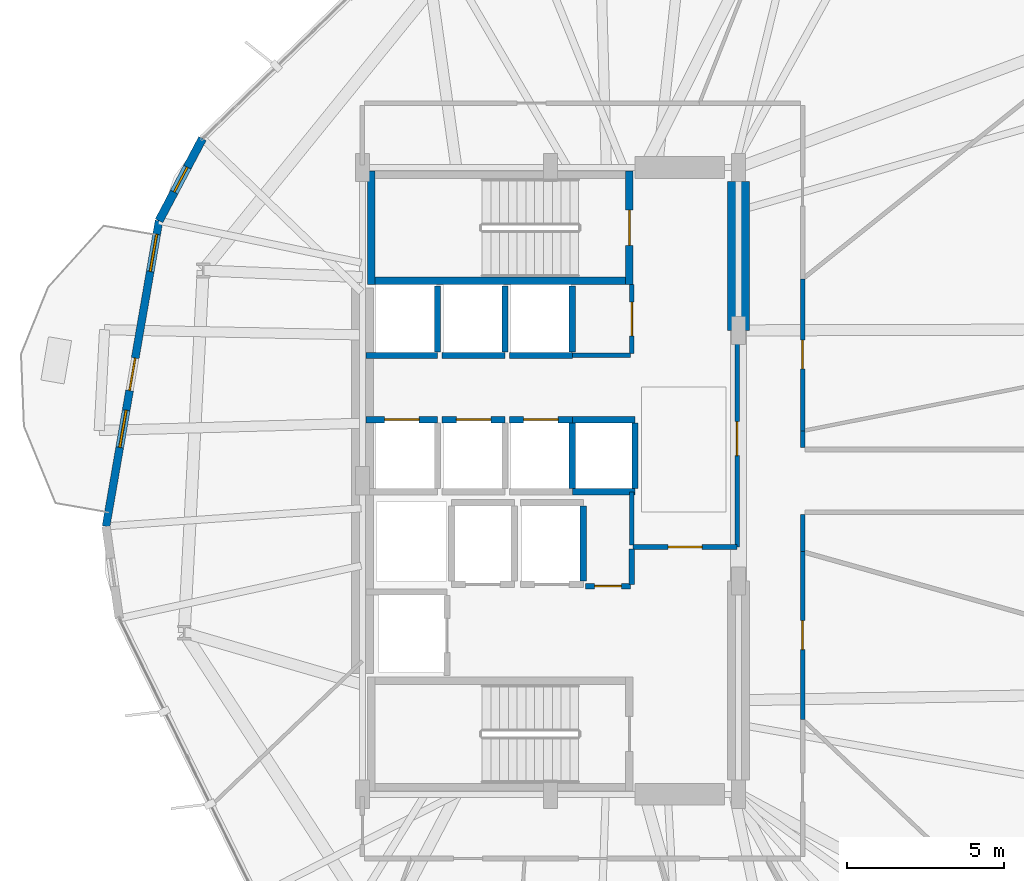
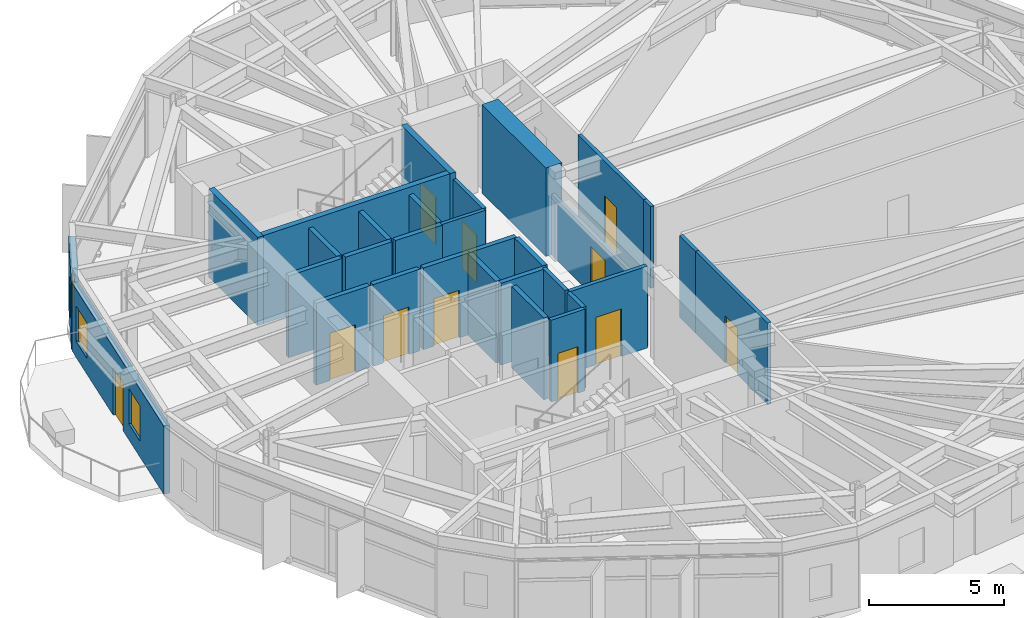
# One storey, part 17 of 22: 31 walls, 11 doors, 3 windows, 14 openings.
"""IFC4 building model written with IfcOpenShell, lengths in metres."""

from ifc_helpers import new_model, si_unit, direction, frame, frame_2d, origin, place, context, subcontext, project, spatial, rectangle, extrude, material, layer, layer_set, type_object, element, fill, save


model = new_model("IFC4")

# Units and contexts
model_context = context("Model", 3, precision=1e-05, world=origin(), true_north=direction((0.0, 1.0)))
body_context = subcontext(model_context, "Body", "Model", "MODEL_VIEW")
ifc_project = project(units=[si_unit("LENGTHUNIT", "METRE"), si_unit("AREAUNIT", "SQUARE_METRE"), si_unit("VOLUMEUNIT", "CUBIC_METRE"), si_unit("PLANEANGLEUNIT", "RADIAN"), si_unit("MASSUNIT", "GRAM", prefix="KILO")], contexts=[model_context])

# Site, building, storey
site_placement = place(None, origin())
site = spatial("IfcSite", under=ifc_project, at=site_placement, CompositionType="ELEMENT")
building_placement = place(site_placement, origin())
building = spatial("IfcBuilding", under=site, at=building_placement, Name="Soratama Intermodal Tower", CompositionType="ELEMENT")
storey_placement = place(building_placement, frame((0.0, 0.0, 58.60009765625)))
storey = spatial("IfcBuildingStorey", under=building, at=storey_placement, Name="L13", CompositionType="ELEMENT", Elevation=58.60009765625)

# Wall, openings, door, windows
ifc_material_1 = material(Name="Concrete f'c 42 MPa", Category="concrete")
ifc_layer_1 = layer(ifc_material_1, 0.25)
ifc_layer_set_1 = layer_set([ifc_layer_1], Name="Concrete f'c 42 MPa")
wall_type_1 = type_object("IfcWallType", Name="EW-BAL-250", PredefinedType="SOLIDWALL", material=ifc_layer_set_1)
wall_1_placement = place(storey_placement, frame((26.114501953125, 33.296630859375, 0.0), z_axis=(0.0, 0.0, 1.0), x_axis=(-0.170901709492, -0.985288082589, 0.0)))
wall_1 = element("IfcWall", 1, at=wall_1_placement, inside=storey, type_object=wall_type_1, Name="L13 Terrace Wall F05", PredefinedType="SOLIDWALL", context=body_context, shape_type="SweptSolid", body=[
    extrude(rectangle(XDim=9.89404296875, YDim=0.25, at=frame_2d((4.947021484375, 0.0))), origin(), (0.0, 0.0, 1.0), 3.078857421875),
])
opening_1_placement = place(wall_1_placement, frame((4.447021484375, 0.0, 0.0)))
opening_1 = element("IfcOpeningElement", 2, at=opening_1_placement, cuts=wall_1, Name="Opening ED-5", PredefinedType="OPENING", context=body_context, shape_type="SweptSolid", body=[
    extrude(rectangle(XDim=1.050048828125, YDim=2.14990234375, at=frame_2d((0.52490234375, 1.074951171875))), frame((0.0, 0.135009765625, 0.0), z_axis=(0.0, -1.0, 0.0), x_axis=(1.0, 0.0, 0.0)), (0.0, 0.0, 1.0), 0.27001953125),
])
opening_2_placement = place(wall_1_placement, frame((0.43994140625, 0.0, 0.719970703125)))
opening_2 = element("IfcOpeningElement", 3, at=opening_2_placement, cuts=wall_1, Name="Opening WN-2", PredefinedType="OPENING", context=body_context, shape_type="SweptSolid", body=[
    extrude(rectangle(XDim=1.199951171875, YDim=1.60009765625, at=frame_2d((0.60009765625, 0.800048828125))), frame((0.0, 0.135009765625, 0.0), z_axis=(0.0, -1.0, 0.0), x_axis=(1.0, 0.0, 0.0)), (0.0, 0.0, 1.0), 0.27001953125),
])
opening_3_placement = place(wall_1_placement, frame((6.13720703125, 0.0, 0.719970703125)))
opening_3 = element("IfcOpeningElement", 4, at=opening_3_placement, cuts=wall_1, Name="Opening WN-2", PredefinedType="OPENING", context=body_context, shape_type="SweptSolid", body=[
    extrude(rectangle(XDim=1.199951171875, YDim=1.60009765625, at=frame_2d((0.60009765625, 0.800048828125))), frame((0.0, 0.135009765625, 0.0), z_axis=(0.0, -1.0, 0.0), x_axis=(1.0, 0.0, 0.0)), (0.0, 0.0, 1.0), 0.27001953125),
])
ifc_material_2 = material(Name="Double-glazed aluminium door", Category="aluminium")
door_type_1 = type_object("IfcDoorType", Name="DR-BAL-1050", OperationType="NOTDEFINED", PredefinedType="DOOR", material=ifc_material_2)
door_1_placement = place(opening_1_placement, origin())
door_1 = element("IfcDoor", 5, at=door_1_placement, inside=storey, type_object=door_type_1, Name="L13 Balcony Door F05", OperationType="SINGLE_SWING_LEFT", OverallHeight=2.14990234375, OverallWidth=1.050048828125, PredefinedType="DOOR", context=body_context, shape_type="SweptSolid", body=[
    extrude(rectangle(XDim=1.050048828125, YDim=2.14990234375, at=frame_2d((0.52490234375, 1.074951171875))), frame((0.0, 0.02490234375, 0.0), z_axis=(0.0, -1.0, 0.0), x_axis=(1.0, 0.0, 0.0)), (0.0, 0.0, 1.0), 0.050048828125),
])
fill(opening_1, door_1)
ifc_material_3 = material(Name="Double-glazed aluminium window", Category="aluminium")
window_type_1 = type_object("IfcWindowType", Name="WN-FAC-1200", PartitioningType="SINGLE_PANEL", PredefinedType="WINDOW", material=ifc_material_3)
window_1_placement = place(opening_2_placement, origin())
window_1 = element("IfcWindow", 6, at=window_1_placement, inside=storey, type_object=window_type_1, Name="L13 Window A F05", OverallHeight=1.60009765625, OverallWidth=1.199951171875, PartitioningType="SINGLE_PANEL", PredefinedType="WINDOW", context=body_context, shape_type="SweptSolid", body=[
    extrude(rectangle(XDim=1.199951171875, YDim=1.60009765625, at=frame_2d((0.60009765625, 0.800048828125))), frame((0.0, 0.030029296875, 0.0), z_axis=(0.0, -1.0, 0.0), x_axis=(1.0, 0.0, 0.0)), (0.0, 0.0, 1.0), 0.06005859375),
])
fill(opening_2, window_1)
window_2_placement = place(opening_3_placement, origin())
window_2 = element("IfcWindow", 7, at=window_2_placement, inside=storey, type_object=window_type_1, Name="L13 Window B F05", OverallHeight=1.60009765625, OverallWidth=1.199951171875, PartitioningType="SINGLE_PANEL", PredefinedType="WINDOW", context=body_context, shape_type="SweptSolid", body=[
    extrude(rectangle(XDim=1.199951171875, YDim=1.60009765625, at=frame_2d((0.60009765625, 0.800048828125))), frame((0.0, 0.030029296875, 0.0), z_axis=(0.0, -1.0, 0.0), x_axis=(1.0, 0.0, 0.0)), (0.0, 0.0, 1.0), 0.06005859375),
])
fill(opening_3, window_2)

# Wall, opening, window
ifc_material_4 = material(Name="Concrete f'c 42 MPa", Category="concrete")
ifc_layer_2 = layer(ifc_material_4, 0.27001953125)
ifc_layer_set_2 = layer_set([ifc_layer_2], Name="Concrete f'c 42 MPa")
wall_type_2 = type_object("IfcWallType", Name="EW-CRN-270", PredefinedType="SOLIDWALL", material=ifc_layer_set_2)
wall_2_placement = place(storey_placement, frame((27.5, 35.919921875, 0.0), z_axis=(0.0, 0.0, 1.0), x_axis=(-0.467017847618, -0.884247889455, 0.0)))
wall_2 = element("IfcWall", 8, at=wall_2_placement, inside=storey, type_object=wall_type_2, Name="L13 Corner Closure Wall 04", PredefinedType="SOLIDWALL", context=body_context, shape_type="SweptSolid", body=[
    extrude(rectangle(XDim=2.966796875, YDim=0.27001953125, at=frame_2d((1.4833984375, 0.0))), origin(), (0.0, 0.0, 1.0), 3.078857421875),
])
opening_4_placement = place(wall_2_placement, frame((1.033203125, 0.0, 0.75)))
opening_4 = element("IfcOpeningElement", 9, at=opening_4_placement, cuts=wall_2, Name="Opening WN-6", PredefinedType="OPENING", context=body_context, shape_type="SweptSolid", body=[
    extrude(rectangle(XDim=0.89990234375, YDim=1.5, at=frame_2d((0.449951171875, 0.75))), frame((0.0, 0.14501953125, 0.0), z_axis=(0.0, -1.0, 0.0), x_axis=(1.0, 0.0, 0.0)), (0.0, 0.0, 1.0), 0.2900390625),
])
ifc_material_5 = material(Name="Double-glazed aluminium window", Category="aluminium")
window_type_2 = type_object("IfcWindowType", Name="WN-FAC-900", PartitioningType="SINGLE_PANEL", PredefinedType="WINDOW", material=ifc_material_5)
window_3_placement = place(opening_4_placement, origin())
window_3 = element("IfcWindow", 10, at=window_3_placement, inside=storey, type_object=window_type_2, Name="L13 Corner Window 04", OverallHeight=1.5, OverallWidth=0.89990234375, PartitioningType="SINGLE_PANEL", PredefinedType="WINDOW", context=body_context, shape_type="SweptSolid", body=[
    extrude(rectangle(XDim=0.89990234375, YDim=1.5, at=frame_2d((0.449951171875, 0.75))), frame((0.0, 0.030029296875, 0.0), z_axis=(0.0, -1.0, 0.0), x_axis=(1.0, 0.0, 0.0)), (0.0, 0.0, 1.0), 0.06005859375),
])
fill(opening_4, window_3)

# Wall, opening, door
ifc_material_6 = material(Name="Fire-rated gypsum stud partition", Category="concrete")
ifc_layer_3 = layer(ifc_material_6, 0.14990234375)
ifc_layer_set_3 = layer_set([ifc_layer_3], Name="Fire-rated gypsum stud partition")
wall_type_3 = type_object("IfcWallType", Name="IW-PART-R150", PredefinedType="PARTITIONING", material=ifc_layer_set_3)
wall_3_placement = place(storey_placement, frame((44.56005859375, 29.800048828125, 0.0), z_axis=(0.0, 0.0, 1.0), x_axis=(0.0, -1.0, 0.0)))
wall_3 = element("IfcWall", 11, at=wall_3_placement, inside=storey, type_object=wall_type_3, Name="L13 Partition W-L13-TP011", PredefinedType="PARTITIONING", context=body_context, shape_type="SweptSolid", body=[
    extrude(rectangle(XDim=6.91015625, YDim=0.14990234375, at=frame_2d((3.455078125, 0.0))), origin(), (0.0, 0.0, 1.0), 2.739990234375),
])
opening_5_placement = place(wall_3_placement, frame((2.9150390625, 0.0, 0.0)))
opening_5 = element("IfcOpeningElement", 12, at=opening_5_placement, cuts=wall_3, Name="Opening ID-1", PredefinedType="OPENING", context=body_context, shape_type="SweptSolid", body=[
    extrude(rectangle(XDim=1.080078125, YDim=2.14990234375, at=frame_2d((0.5400390625, 1.074951171875))), frame((0.0, 0.0849609375, 0.0), z_axis=(0.0, -1.0, 0.0), x_axis=(1.0, 0.0, 0.0)), (0.0, 0.0, 1.0), 0.169921875),
])
ifc_material_7 = material(Name="Solid hardwood acoustic door", Category="wood")
door_type_2 = type_object("IfcDoorType", Name="DR-LOB-FD60", OperationType="NOTDEFINED", PredefinedType="DOOR", material=ifc_material_7)
door_2_placement = place(opening_5_placement, origin())
door_2 = element("IfcDoor", 13, at=door_2_placement, inside=storey, type_object=door_type_2, Name="L13 Door D-L13-TP004", OperationType="SINGLE_SWING_LEFT", OverallHeight=2.14990234375, OverallWidth=1.080078125, PredefinedType="DOOR", context=body_context, shape_type="SweptSolid", body=[
    extrude(rectangle(XDim=1.080078125, YDim=2.14990234375, at=frame_2d((0.5400390625, 1.074951171875))), frame((0.0, 0.02490234375, 0.0), z_axis=(0.0, -1.0, 0.0), x_axis=(1.0, 0.0, 0.0)), (0.0, 0.0, 1.0), 0.050048828125),
])
fill(opening_5, door_2)

wall_4_placement = place(storey_placement, frame((46.64990234375, 22.738037109375, 0.0), z_axis=(0.0, 0.0, 1.0), x_axis=(0.0, -1.0, 0.0)))
wall_4 = element("IfcWall", 14, at=wall_4_placement, inside=storey, type_object=wall_type_3, Name="L13 Partition W-L13-TP015", PredefinedType="PARTITIONING", context=body_context, shape_type="SweptSolid", body=[
    extrude(rectangle(XDim=5.35302734375, YDim=0.14990234375, at=frame_2d((2.676513671875, 0.0))), origin(), (0.0, 0.0, 1.0), 3.699951171875),
])
opening_6_placement = place(wall_4_placement, frame((2.200927734375, 0.0, 0.0)))
opening_6 = element("IfcOpeningElement", 15, at=opening_6_placement, cuts=wall_4, Name="Opening ID-6", PredefinedType="OPENING", context=body_context, shape_type="SweptSolid", body=[
    extrude(rectangle(XDim=0.919921875, YDim=2.1201171875, at=frame_2d((0.4599609375, 1.06005859375))), frame((0.0, 0.0849609375, 0.0), z_axis=(0.0, -1.0, 0.0), x_axis=(1.0, 0.0, 0.0)), (0.0, 0.0, 1.0), 0.169921875),
])
ifc_material_8 = material(Name="Solid hardwood acoustic door", Category="wood")
door_type_3 = type_object("IfcDoorType", Name="DR-ROOM-920", OperationType="NOTDEFINED", PredefinedType="DOOR", material=ifc_material_8)
door_3_placement = place(opening_6_placement, origin())
door_3 = element("IfcDoor", 16, at=door_3_placement, inside=storey, type_object=door_type_3, Name="L13 Door D-L13-TP006", OperationType="SINGLE_SWING_LEFT", OverallHeight=2.1201171875, OverallWidth=0.919921875, PredefinedType="DOOR", context=body_context, shape_type="SweptSolid", body=[
    extrude(rectangle(XDim=0.919921875, YDim=2.1201171875, at=frame_2d((0.4599609375, 1.06005859375))), frame((0.0, 0.02490234375, 0.0), z_axis=(0.0, -1.0, 0.0), x_axis=(1.0, 0.0, 0.0)), (0.0, 0.0, 1.0), 0.050048828125),
])
fill(opening_6, door_3)

wall_5_placement = place(storey_placement, frame((46.64990234375, 31.44189453125, 0.0), z_axis=(0.0, 0.0, 1.0), x_axis=(0.0, -1.0, 0.0)))
wall_5 = element("IfcWall", 17, at=wall_5_placement, inside=storey, type_object=wall_type_3, Name="L13 Partition W-L13-TP016", PredefinedType="PARTITIONING", context=body_context, shape_type="SweptSolid", body=[
    extrude(rectangle(XDim=4.848876953125, YDim=0.14990234375, at=frame_2d((2.42431640625, 0.0))), origin(), (0.0, 0.0, 1.0), 3.699951171875),
])
opening_7_placement = place(wall_5_placement, frame((1.949951171875, 0.0, 0.0)))
opening_7 = element("IfcOpeningElement", 18, at=opening_7_placement, cuts=wall_5, Name="Opening ID-6", PredefinedType="OPENING", context=body_context, shape_type="SweptSolid", body=[
    extrude(rectangle(XDim=0.919921875, YDim=2.1201171875, at=frame_2d((0.4599609375, 1.06005859375))), frame((0.0, 0.0849609375, 0.0), z_axis=(0.0, -1.0, 0.0), x_axis=(1.0, 0.0, 0.0)), (0.0, 0.0, 1.0), 0.169921875),
])
door_4_placement = place(opening_7_placement, origin())
door_4 = element("IfcDoor", 19, at=door_4_placement, inside=storey, type_object=door_type_3, Name="L13 Door D-L13-TP007", OperationType="SINGLE_SWING_RIGHT", OverallHeight=2.1201171875, OverallWidth=0.919921875, PredefinedType="DOOR", context=body_context, shape_type="SweptSolid", body=[
    extrude(rectangle(XDim=0.919921875, YDim=2.1201171875, at=frame_2d((0.4599609375, 1.06005859375))), frame((0.0, 0.02490234375, 0.0), z_axis=(0.0, -1.0, 0.0), x_axis=(1.0, 0.0, 0.0)), (0.0, 0.0, 1.0), 0.050048828125),
])
fill(opening_7, door_4)

wall_6_placement = place(storey_placement, frame((41.199951171875, 29.070068359375, 0.0), z_axis=(0.0, 0.0, 1.0), x_axis=(0.0, 1.0, 0.0)))
wall_6 = element("IfcWall", 20, at=wall_6_placement, inside=storey, type_object=wall_type_3, Name="L13 Partition W-L13-TP024", PredefinedType="PARTITIONING", context=body_context, shape_type="SweptSolid", body=[
    extrude(rectangle(XDim=2.18994140625, YDim=0.14990234375, at=frame_2d((1.094970703125, 0.0))), origin(), (0.0, 0.0, 1.0), 3.699951171875),
])
opening_8_placement = place(wall_6_placement, frame((0.554931640625, 0.0, 0.0)))
opening_8 = element("IfcOpeningElement", 21, at=opening_8_placement, cuts=wall_6, Name="Opening ID-1", PredefinedType="OPENING", context=body_context, shape_type="SweptSolid", body=[
    extrude(rectangle(XDim=1.080078125, YDim=2.14990234375, at=frame_2d((0.5400390625, 1.074951171875))), frame((0.0, 0.0849609375, 0.0), z_axis=(0.0, -1.0, 0.0), x_axis=(1.0, 0.0, 0.0)), (0.0, 0.0, 1.0), 0.169921875),
])
door_5_placement = place(opening_8_placement, origin())
door_5 = element("IfcDoor", 22, at=door_5_placement, inside=storey, type_object=door_type_2, Name="L13 Door D-L13-TP013", OperationType="SINGLE_SWING_RIGHT", OverallHeight=2.14990234375, OverallWidth=1.080078125, PredefinedType="DOOR", context=body_context, shape_type="SweptSolid", body=[
    extrude(rectangle(XDim=1.080078125, YDim=2.14990234375, at=frame_2d((0.5400390625, 1.074951171875))), frame((0.0, 0.02490234375, 0.0), z_axis=(0.0, -1.0, 0.0), x_axis=(1.0, 0.0, 0.0)), (0.0, 0.0, 1.0), 0.050048828125),
])
fill(opening_8, door_5)

# Walls
wall_7_placement = place(storey_placement, frame((39.300048828125, 29.010009765625, 0.0), z_axis=(0.0, 0.0, 1.0), x_axis=(1.0, 0.0, 0.0)))
element("IfcWall", 23, at=wall_7_placement, inside=storey, type_object=wall_type_3, Name="L13 Partition W-L13-TP027", PredefinedType="PARTITIONING", context=body_context, shape_type="SweptSolid", body=[
    extrude(rectangle(XDim=1.85986328125, YDim=0.14990234375, at=frame_2d((0.929931640625, 0.0))), origin(), (0.0, 0.0, 1.0), 3.699951171875),
])
wall_8_placement = place(storey_placement, frame((41.199951171875, 22.9599609375, 0.0), z_axis=(0.0, 0.0, 1.0), x_axis=(0.0, 1.0, 0.0)))
element("IfcWall", 24, at=wall_8_placement, inside=storey, type_object=wall_type_3, Name="L13 Partition W-L13-TP028", PredefinedType="PARTITIONING", context=body_context, shape_type="SweptSolid", body=[
    extrude(rectangle(XDim=1.68994140625, YDim=0.14990234375, at=frame_2d((0.844970703125, 0.0))), origin(), (0.0, 0.0, 1.0), 3.699951171875),
])
wall_9_placement = place(storey_placement, frame((46.64990234375, 23.929931640625, 0.0), z_axis=(0.0, 0.0, 1.0), x_axis=(0.0, -1.0, 0.0)))
element("IfcWall", 25, at=wall_9_placement, inside=storey, type_object=wall_type_3, Name="L13 Partition W-L13-TP031", PredefinedType="PARTITIONING", context=body_context, shape_type="SweptSolid", body=[
    extrude(rectangle(XDim=1.19189453125, YDim=0.14990234375, at=frame_2d((0.595947265625, 0.0))), origin(), (0.0, 0.0, 1.0), 3.699951171875),
])
wall_10_placement = place(storey_placement, frame((46.64990234375, 26.593017578125, 0.0), z_axis=(0.0, 0.0, 1.0), x_axis=(0.0, -1.0, 0.0)))
element("IfcWall", 26, at=wall_10_placement, inside=storey, type_object=wall_type_3, Name="L13 Partition W-L13-TP034", PredefinedType="PARTITIONING", context=body_context, shape_type="SweptSolid", body=[
    extrude(rectangle(XDim=0.52294921875, YDim=0.14990234375, at=frame_2d((0.261474609375, 0.0))), origin(), (0.0, 0.0, 1.0), 3.699951171875),
])

# Wall, opening, door
ifc_material_9 = material(Name="Fire-rated gypsum stud partition", Category="concrete")
ifc_layer_4 = layer(ifc_material_9, 0.169921875)
ifc_layer_set_4 = layer_set([ifc_layer_4], Name="Fire-rated gypsum stud partition")
wall_type_4 = type_object("IfcWallType", Name="IW-PART-R170", PredefinedType="PARTITIONING", material=ifc_layer_set_4)
wall_11_placement = place(storey_placement, frame((41.239990234375, 22.889892578125, 0.0), z_axis=(0.0, 0.0, 1.0), x_axis=(1.0, 0.0, 0.0)))
wall_11 = element("IfcWall", 27, at=wall_11_placement, inside=storey, type_object=wall_type_4, Name="L13 Partition W-L13-TP022", PredefinedType="PARTITIONING", context=body_context, shape_type="SweptSolid", body=[
    extrude(rectangle(XDim=3.320068359375, YDim=0.169921875, at=frame_2d((1.66015625, 0.0))), origin(), (0.0, 0.0, 1.0), 3.699951171875),
])
opening_9_placement = place(wall_11_placement, frame((1.1201171875, 0.0, 0.0)))
opening_9 = element("IfcOpeningElement", 28, at=opening_9_placement, cuts=wall_11, Name="Opening ID-0", PredefinedType="OPENING", context=body_context, shape_type="SweptSolid", body=[
    extrude(rectangle(XDim=1.080078125, YDim=2.14990234375, at=frame_2d((0.5400390625, 1.074951171875))), frame((0.0, 0.094970703125, 0.0), z_axis=(0.0, -1.0, 0.0), x_axis=(1.0, 0.0, 0.0)), (0.0, 0.0, 1.0), 0.18994140625),
])
ifc_material_10 = material(Name="Solid hardwood acoustic door", Category="wood")
door_type_4 = type_object("IfcDoorType", Name="DR-LOB-FD90", OperationType="NOTDEFINED", PredefinedType="DOOR", material=ifc_material_10)
door_6_placement = place(opening_9_placement, origin())
door_6 = element("IfcDoor", 29, at=door_6_placement, inside=storey, type_object=door_type_4, Name="L13 Door D-L13-TP012", OperationType="SINGLE_SWING_LEFT", OverallHeight=2.14990234375, OverallWidth=1.080078125, PredefinedType="DOOR", context=body_context, shape_type="SweptSolid", body=[
    extrude(rectangle(XDim=1.080078125, YDim=2.14990234375, at=frame_2d((0.5400390625, 1.074951171875))), frame((0.0, 0.02490234375, 0.0), z_axis=(0.0, -1.0, 0.0), x_axis=(1.0, 0.0, 0.0)), (0.0, 0.0, 1.0), 0.050048828125),
])
fill(opening_9, door_6)

wall_12_placement = place(storey_placement, frame((39.719970703125, 21.639892578125, 0.0), z_axis=(0.0, 0.0, 1.0), x_axis=(1.0, 0.0, 0.0)))
wall_12 = element("IfcWall", 30, at=wall_12_placement, inside=storey, type_object=wall_type_4, Name="L13 Partition W-L13-TP030", PredefinedType="PARTITIONING", context=body_context, shape_type="SweptSolid", body=[
    extrude(rectangle(XDim=1.43994140625, YDim=0.169921875, at=frame_2d((0.719970703125, 0.0))), origin(), (0.0, 0.0, 1.0), 3.699951171875),
])
opening_10_placement = place(wall_12_placement, frame((0.294921875, 0.0, 0.0)))
opening_10 = element("IfcOpeningElement", 31, at=opening_10_placement, cuts=wall_12, Name="Opening ID-4", PredefinedType="OPENING", context=body_context, shape_type="SweptSolid", body=[
    extrude(rectangle(XDim=0.85009765625, YDim=2.10009765625, at=frame_2d((0.425048828125, 1.050048828125))), frame((0.0, 0.094970703125, 0.0), z_axis=(0.0, -1.0, 0.0), x_axis=(1.0, 0.0, 0.0)), (0.0, 0.0, 1.0), 0.18994140625),
])
ifc_material_11 = material(Name="Solid hardwood acoustic door", Category="wood")
door_type_5 = type_object("IfcDoorType", Name="DR-BATH-850", OperationType="NOTDEFINED", PredefinedType="DOOR", material=ifc_material_11)
door_7_placement = place(opening_10_placement, origin())
door_7 = element("IfcDoor", 32, at=door_7_placement, inside=storey, type_object=door_type_5, Name="L13 Door D-L13-TP015", OperationType="SINGLE_SWING_RIGHT", OverallHeight=2.10009765625, OverallWidth=0.85009765625, PredefinedType="DOOR", context=body_context, shape_type="SweptSolid", body=[
    extrude(rectangle(XDim=0.85009765625, YDim=2.10009765625, at=frame_2d((0.425048828125, 1.050048828125))), frame((0.0, 0.02490234375, 0.0), z_axis=(0.0, -1.0, 0.0), x_axis=(1.0, 0.0, 0.0)), (0.0, 0.0, 1.0), 0.050048828125),
])
fill(opening_10, door_7)

# Walls
wall_13_placement = place(storey_placement, frame((41.199951171875, 21.699951171875, 0.0), z_axis=(0.0, 0.0, 1.0), x_axis=(0.0, 1.0, 0.0)))
element("IfcWall", 33, at=wall_13_placement, inside=storey, type_object=wall_type_4, Name="L13 Partition W-L13-TP032", PredefinedType="PARTITIONING", context=body_context, shape_type="SweptSolid", body=[
    extrude(rectangle(XDim=1.1201171875, YDim=0.169921875, at=frame_2d((0.56005859375, 0.0))), origin(), (0.0, 0.0, 1.0), 3.699951171875),
])
ifc_material_12 = material(Name="Concrete f'c 42 MPa", Category="concrete")
ifc_layer_5 = layer(ifc_material_12, 0.199951171875)
ifc_layer_set_5 = layer_set([ifc_layer_5], Name="Concrete f'c 42 MPa")
wall_type_5 = type_object("IfcWallType", Name="IW-SHAFT-200", PredefinedType="SOLIDWALL", material=ifc_layer_set_5)
wall_14_placement = place(storey_placement, frame((39.64990234375, 21.81005859375, 0.0), z_axis=(0.0, 0.0, 1.0), x_axis=(0.0, 1.0, 0.0)))
element("IfcWall", 34, at=wall_14_placement, inside=storey, type_object=wall_type_5, Name="L13 FFL-2 Hoistway Wall E", PredefinedType="SOLIDWALL", context=body_context, shape_type="SweptSolid", body=[
    extrude(rectangle(XDim=2.3798828125, YDim=0.199951171875, at=frame_2d((1.18994140625, 0.0))), origin(), (0.0, 0.0, 1.0), 3.699951171875),
])

# Wall, opening, door
wall_15_placement = place(storey_placement, frame((32.719970703125, 26.949951171875, 0.0), z_axis=(0.0, 0.0, 1.0), x_axis=(1.0, 0.0, 0.0)))
wall_15 = element("IfcWall", 35, at=wall_15_placement, inside=storey, type_object=wall_type_5, Name="L13 PL-L1 Hoistway Wall N", PredefinedType="SOLIDWALL", context=body_context, shape_type="SweptSolid", body=[
    extrude(rectangle(XDim=2.280029296875, YDim=0.199951171875, at=frame_2d((1.14013671875, 0.0))), origin(), (0.0, 0.0, 1.0), 3.699951171875),
])
opening_11_placement = place(wall_15_placement, frame((0.590087890625, 0.0, 0.0)))
opening_11 = element("IfcOpeningElement", 36, at=opening_11_placement, cuts=wall_15, Name="Opening LD-1", PredefinedType="OPENING", context=body_context, shape_type="SweptSolid", body=[
    extrude(rectangle(XDim=1.10009765625, YDim=2.14990234375, at=frame_2d((0.550048828125, 1.074951171875))), frame((0.0, 0.10986328125, 0.0), z_axis=(0.0, -1.0, 0.0), x_axis=(1.0, 0.0, 0.0)), (0.0, 0.0, 1.0), 0.219970703125),
])
ifc_material_13 = material(Name="Steel fire door", Category="steel")
door_type_6 = type_object("IfcDoorType", Name="DR-LIFT-SLIDE", OperationType="NOTDEFINED", PredefinedType="DOOR", material=ifc_material_13)
door_8_placement = place(opening_11_placement, origin())
door_8 = element("IfcDoor", 37, at=door_8_placement, inside=storey, type_object=door_type_6, Name="L13 PL-L1 Sliding Landing Door", OperationType="SLIDING_TO_LEFT", OverallHeight=2.14990234375, OverallWidth=1.10009765625, PredefinedType="DOOR", context=body_context, shape_type="SweptSolid", body=[
    extrude(rectangle(XDim=1.10009765625, YDim=2.14990234375, at=frame_2d((0.550048828125, 1.074951171875))), frame((0.0, 0.02490234375, 0.0), z_axis=(0.0, -1.0, 0.0), x_axis=(1.0, 0.0, 0.0)), (0.0, 0.0, 1.0), 0.050048828125),
])
fill(opening_11, door_8)

wall_16_placement = place(storey_placement, frame((35.14990234375, 26.949951171875, 0.0), z_axis=(0.0, 0.0, 1.0), x_axis=(1.0, 0.0, 0.0)))
wall_16 = element("IfcWall", 38, at=wall_16_placement, inside=storey, type_object=wall_type_5, Name="L13 PL-L2 Hoistway Wall N", PredefinedType="SOLIDWALL", context=body_context, shape_type="SweptSolid", body=[
    extrude(rectangle(XDim=2.0, YDim=0.199951171875, at=frame_2d((1.0, 0.0))), origin(), (0.0, 0.0, 1.0), 3.699951171875),
])
opening_12_placement = place(wall_16_placement, frame((0.449951171875, 0.0, 0.0)))
opening_12 = element("IfcOpeningElement", 39, at=opening_12_placement, cuts=wall_16, Name="Opening LD-1", PredefinedType="OPENING", context=body_context, shape_type="SweptSolid", body=[
    extrude(rectangle(XDim=1.10009765625, YDim=2.14990234375, at=frame_2d((0.550048828125, 1.074951171875))), frame((0.0, 0.10986328125, 0.0), z_axis=(0.0, -1.0, 0.0), x_axis=(1.0, 0.0, 0.0)), (0.0, 0.0, 1.0), 0.219970703125),
])
door_9_placement = place(opening_12_placement, origin())
door_9 = element("IfcDoor", 40, at=door_9_placement, inside=storey, type_object=door_type_6, Name="L13 PL-L2 Sliding Landing Door", OperationType="SLIDING_TO_LEFT", OverallHeight=2.14990234375, OverallWidth=1.10009765625, PredefinedType="DOOR", context=body_context, shape_type="SweptSolid", body=[
    extrude(rectangle(XDim=1.10009765625, YDim=2.14990234375, at=frame_2d((0.550048828125, 1.074951171875))), frame((0.0, 0.02490234375, 0.0), z_axis=(0.0, -1.0, 0.0), x_axis=(1.0, 0.0, 0.0)), (0.0, 0.0, 1.0), 0.050048828125),
])
fill(opening_12, door_9)

wall_17_placement = place(storey_placement, frame((37.300048828125, 26.949951171875, 0.0), z_axis=(0.0, 0.0, 1.0), x_axis=(1.0, 0.0, 0.0)))
wall_17 = element("IfcWall", 41, at=wall_17_placement, inside=storey, type_object=wall_type_5, Name="L13 PL-L3 Hoistway Wall N", PredefinedType="SOLIDWALL", context=body_context, shape_type="SweptSolid", body=[
    extrude(rectangle(XDim=2.0, YDim=0.199951171875, at=frame_2d((1.0, 0.0))), origin(), (0.0, 0.0, 1.0), 3.699951171875),
])
opening_13_placement = place(wall_17_placement, frame((0.449951171875, 0.0, 0.0)))
opening_13 = element("IfcOpeningElement", 42, at=opening_13_placement, cuts=wall_17, Name="Opening LD-1", PredefinedType="OPENING", context=body_context, shape_type="SweptSolid", body=[
    extrude(rectangle(XDim=1.10009765625, YDim=2.14990234375, at=frame_2d((0.550048828125, 1.074951171875))), frame((0.0, 0.10986328125, 0.0), z_axis=(0.0, -1.0, 0.0), x_axis=(1.0, 0.0, 0.0)), (0.0, 0.0, 1.0), 0.219970703125),
])
door_10_placement = place(opening_13_placement, origin())
door_10 = element("IfcDoor", 43, at=door_10_placement, inside=storey, type_object=door_type_6, Name="L13 PL-L3 Sliding Landing Door", OperationType="SLIDING_TO_LEFT", OverallHeight=2.14990234375, OverallWidth=1.10009765625, PredefinedType="DOOR", context=body_context, shape_type="SweptSolid", body=[
    extrude(rectangle(XDim=1.10009765625, YDim=2.14990234375, at=frame_2d((0.550048828125, 1.074951171875))), frame((0.0, 0.02490234375, 0.0), z_axis=(0.0, -1.0, 0.0), x_axis=(1.0, 0.0, 0.0)), (0.0, 0.0, 1.0), 0.050048828125),
])
fill(opening_13, door_10)

# Walls
wall_18_placement = place(storey_placement, frame((39.300048828125, 24.760009765625, 0.0), z_axis=(0.0, 0.0, 1.0), x_axis=(0.0, 1.0, 0.0)))
element("IfcWall", 44, at=wall_18_placement, inside=storey, type_object=wall_type_5, Name="L13 PL-L3 Hoistway Wall E", PredefinedType="SOLIDWALL", context=body_context, shape_type="SweptSolid", body=[
    extrude(rectangle(XDim=2.080078125, YDim=0.199951171875, at=frame_2d((1.0400390625, 0.0))), origin(), (0.0, 0.0, 1.0), 3.699951171875),
])
for number, where, z_axis, x_axis, name in (
    (45, (39.300048828125, 24.64990234375, 0.0), (0.0, 0.0, 1.0), (1.0, 0.0, 0.0), "L13 PL-M1 Hoistway Wall S"),
    (46, (39.300048828125, 26.949951171875, 0.0), (0.0, 0.0, 1.0), (1.0, 0.0, 0.0), "L13 PL-M1 Hoistway Wall N"),
):
    element("IfcWall", number, at=place(storey_placement, frame(where, z_axis=z_axis, x_axis=x_axis)), inside=storey, type_object=wall_type_5, Name=name, PredefinedType="SOLIDWALL", context=body_context, shape_type="SweptSolid", body=[
        extrude(rectangle(XDim=2.0, YDim=0.199951171875, at=frame_2d((1.0, 0.0))), origin(), (0.0, 0.0, 1.0), 3.699951171875),
    ])
wall_19_placement = place(storey_placement, frame((41.300048828125, 24.760009765625, 0.0), z_axis=(0.0, 0.0, 1.0), x_axis=(0.0, 1.0, 0.0)))
element("IfcWall", 47, at=wall_19_placement, inside=storey, type_object=wall_type_5, Name="L13 PL-M1 Hoistway Wall E", PredefinedType="SOLIDWALL", context=body_context, shape_type="SweptSolid", body=[
    extrude(rectangle(XDim=2.080078125, YDim=0.199951171875, at=frame_2d((1.0400390625, 0.0))), origin(), (0.0, 0.0, 1.0), 3.699951171875),
])
wall_20_placement = place(storey_placement, frame((32.719970703125, 29.0, 0.0), z_axis=(0.0, 0.0, 1.0), x_axis=(1.0, 0.0, 0.0)))
element("IfcWall", 48, at=wall_20_placement, inside=storey, type_object=wall_type_5, Name="L13 PL-M2 Hoistway Wall S", PredefinedType="SOLIDWALL", context=body_context, shape_type="SweptSolid", body=[
    extrude(rectangle(XDim=2.280029296875, YDim=0.199951171875, at=frame_2d((1.14013671875, 0.0))), origin(), (0.0, 0.0, 1.0), 3.699951171875),
])
wall_21_placement = place(storey_placement, frame((35.0, 29.110107421875, 0.0), z_axis=(0.0, 0.0, 1.0), x_axis=(0.0, 1.0, 0.0)))
element("IfcWall", 49, at=wall_21_placement, inside=storey, type_object=wall_type_5, Name="L13 PL-M2 Hoistway Wall E", PredefinedType="SOLIDWALL", context=body_context, shape_type="SweptSolid", body=[
    extrude(rectangle(XDim=2.099853515625, YDim=0.199951171875, at=frame_2d((1.0498046875, 0.0))), origin(), (0.0, 0.0, 1.0), 3.699951171875),
])
wall_22_placement = place(storey_placement, frame((35.14990234375, 29.0, 0.0), z_axis=(0.0, 0.0, 1.0), x_axis=(1.0, 0.0, 0.0)))
element("IfcWall", 50, at=wall_22_placement, inside=storey, type_object=wall_type_5, Name="L13 PL-H1 Hoistway Wall S", PredefinedType="SOLIDWALL", context=body_context, shape_type="SweptSolid", body=[
    extrude(rectangle(XDim=2.0, YDim=0.199951171875, at=frame_2d((1.0, 0.0))), origin(), (0.0, 0.0, 1.0), 3.699951171875),
])
wall_23_placement = place(storey_placement, frame((37.14990234375, 29.110107421875, 0.0), z_axis=(0.0, 0.0, 1.0), x_axis=(0.0, 1.0, 0.0)))
element("IfcWall", 51, at=wall_23_placement, inside=storey, type_object=wall_type_5, Name="L13 PL-H1 Hoistway Wall E", PredefinedType="SOLIDWALL", context=body_context, shape_type="SweptSolid", body=[
    extrude(rectangle(XDim=2.099853515625, YDim=0.199951171875, at=frame_2d((1.0498046875, 0.0))), origin(), (0.0, 0.0, 1.0), 3.699951171875),
])
wall_24_placement = place(storey_placement, frame((37.300048828125, 29.0, 0.0), z_axis=(0.0, 0.0, 1.0), x_axis=(1.0, 0.0, 0.0)))
element("IfcWall", 52, at=wall_24_placement, inside=storey, type_object=wall_type_5, Name="L13 PL-H2 Hoistway Wall S", PredefinedType="SOLIDWALL", context=body_context, shape_type="SweptSolid", body=[
    extrude(rectangle(XDim=2.0, YDim=0.199951171875, at=frame_2d((1.0, 0.0))), origin(), (0.0, 0.0, 1.0), 3.699951171875),
])
wall_25_placement = place(storey_placement, frame((39.300048828125, 29.110107421875, 0.0), z_axis=(0.0, 0.0, 1.0), x_axis=(0.0, 1.0, 0.0)))
element("IfcWall", 53, at=wall_25_placement, inside=storey, type_object=wall_type_5, Name="L13 PL-H2 Hoistway Wall E", PredefinedType="SOLIDWALL", context=body_context, shape_type="SweptSolid", body=[
    extrude(rectangle(XDim=2.099853515625, YDim=0.199951171875, at=frame_2d((1.0498046875, 0.0))), origin(), (0.0, 0.0, 1.0), 3.699951171875),
])
ifc_material_14 = material(Name="Concrete f'c 56 MPa", Category="concrete")
ifc_layer_6 = layer(ifc_material_14, 0.699951171875)
ifc_layer_set_6 = layer_set([ifc_layer_6], Name="Concrete f'c 56 MPa")
wall_type_6 = type_object("IfcWallType", Name="SW-CORE-700", PredefinedType="SHEAR", material=ifc_layer_set_6)
wall_26_placement = place(storey_placement, frame((44.60009765625, 29.800048828125, 0.0), z_axis=(0.0, 0.0, 1.0), x_axis=(0.0, 1.0, 0.0)))
element("IfcWall", 54, at=wall_26_placement, inside=storey, type_object=wall_type_6, Name="L13 Core Shear Wall CW-EN", PredefinedType="SHEAR", context=body_context, shape_type="SweptSolid", body=[
    extrude(rectangle(XDim=4.75, YDim=0.699951171875, at=frame_2d((2.375, 0.0))), origin(), (0.0, 0.0, 1.0), 4.0),
])
ifc_material_15 = material(Name="Concrete f'c 56 MPa", Category="concrete")
ifc_layer_7 = layer(ifc_material_15, 0.239990234375)
ifc_layer_set_7 = layer_set([ifc_layer_7], Name="Concrete f'c 56 MPa")
wall_type_7 = type_object("IfcWallType", Name="SW-STAIR-240", PredefinedType="SHEAR", material=ifc_layer_set_7)
wall_27_placement = place(storey_placement, frame((32.8798828125, 31.260009765625, 0.0), z_axis=(0.0, 0.0, 1.0), x_axis=(0.0, 1.0, 0.0)))
element("IfcWall", 55, at=wall_27_placement, inside=storey, type_object=wall_type_7, Name="L13 ST-2 Shaft Shear Wall W", PredefinedType="SHEAR", context=body_context, shape_type="SweptSolid", body=[
    extrude(rectangle(XDim=3.6298828125, YDim=0.239990234375, at=frame_2d((1.81494140625, 0.0))), origin(), (0.0, 0.0, 1.0), 4.0),
])

# Wall, opening, door
wall_28_placement = place(storey_placement, frame((41.1201171875, 31.260009765625, 0.0), z_axis=(0.0, 0.0, 1.0), x_axis=(0.0, 1.0, 0.0)))
wall_28 = element("IfcWall", 56, at=wall_28_placement, inside=storey, type_object=wall_type_7, Name="L13 ST-2 Shaft Shear Wall E", PredefinedType="SHEAR", context=body_context, shape_type="SweptSolid", body=[
    extrude(rectangle(XDim=3.6298828125, YDim=0.239990234375, at=frame_2d((1.81494140625, 0.0))), origin(), (0.0, 0.0, 1.0), 4.0),
])
opening_14_placement = place(wall_28_placement, frame((1.2548828125, 0.0, 0.0)))
opening_14 = element("IfcOpeningElement", 57, at=opening_14_placement, cuts=wall_28, Name="Opening SD-1", PredefinedType="OPENING", context=body_context, shape_type="SweptSolid", body=[
    extrude(rectangle(XDim=1.1201171875, YDim=2.14990234375, at=frame_2d((0.56005859375, 1.074951171875))), frame((0.0, 0.1298828125, 0.0), z_axis=(0.0, -1.0, 0.0), x_axis=(1.0, 0.0, 0.0)), (0.0, 0.0, 1.0), 0.260009765625),
])
ifc_material_16 = material(Name="Steel fire door", Category="steel")
door_type_7 = type_object("IfcDoorType", Name="DR-STAIR-FD90", OperationType="NOTDEFINED", PredefinedType="DOOR", material=ifc_material_16)
door_11_placement = place(opening_14_placement, origin())
door_11 = element("IfcDoor", 58, at=door_11_placement, inside=storey, type_object=door_type_7, Name="L13 ST-2 Exit Stair Door", OperationType="SINGLE_SWING_RIGHT", OverallHeight=2.14990234375, OverallWidth=1.1201171875, PredefinedType="DOOR", context=body_context, shape_type="SweptSolid", body=[
    extrude(rectangle(XDim=1.1201171875, YDim=2.14990234375, at=frame_2d((0.56005859375, 1.074951171875))), frame((0.0, 0.02490234375, 0.0), z_axis=(0.0, -1.0, 0.0), x_axis=(1.0, 0.0, 0.0)), (0.0, 0.0, 1.0), 0.050048828125),
])
fill(opening_14, door_11)

# Wall
wall_29_placement = place(storey_placement, frame((33.0, 31.3798828125, 0.0), z_axis=(0.0, 0.0, 1.0), x_axis=(1.0, 0.0, 0.0)))
element("IfcWall", 59, at=wall_29_placement, inside=storey, type_object=wall_type_7, Name="L13 ST-2 Shaft Shear Wall S", PredefinedType="SHEAR", context=body_context, shape_type="SweptSolid", body=[
    extrude(rectangle(XDim=8.0, YDim=0.239990234375, at=frame_2d((4.0, 0.0))), origin(), (0.0, 0.0, 1.0), 4.0),
])

save(model, "model.ifc")
